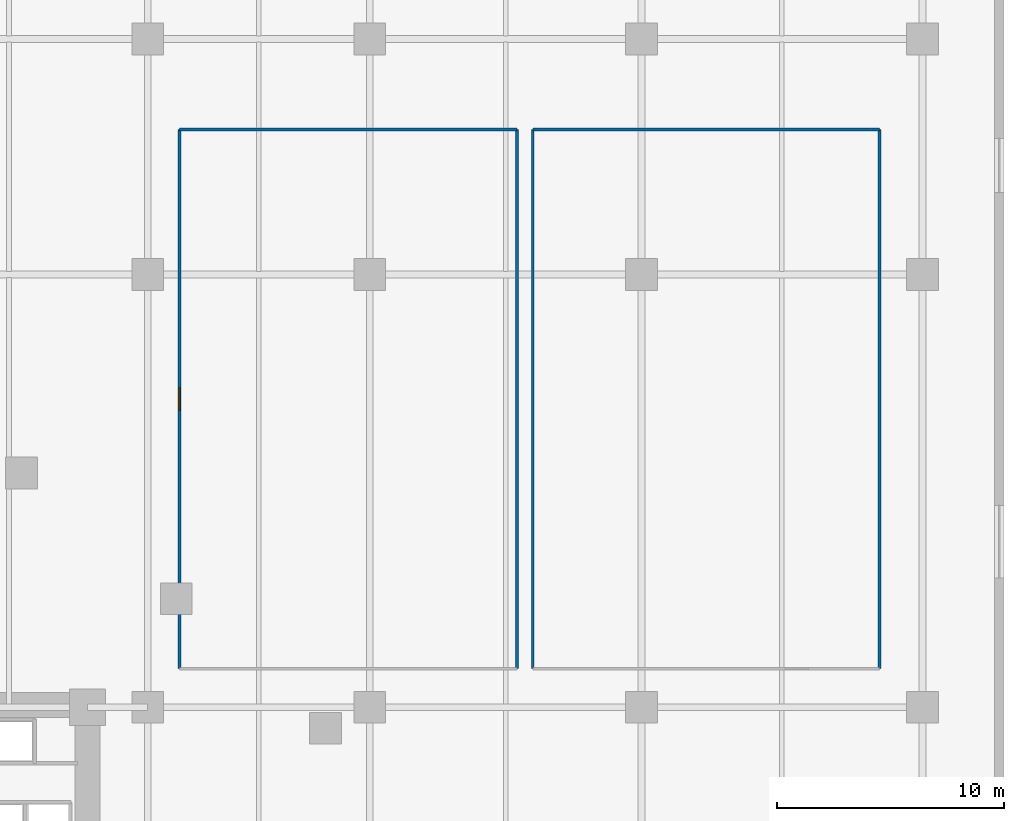
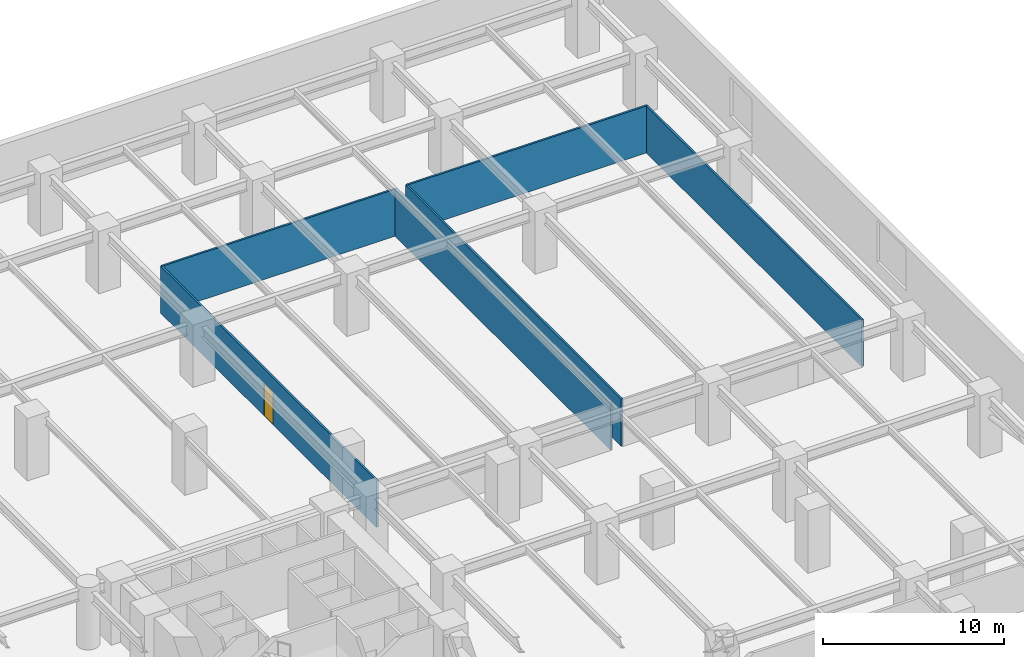
# One storey, part 14 of 25: 6 walls, 1 door, 1 opening.
"""IFC4 building model written with IfcOpenShell, lengths in metres."""

from ifc_helpers import new_model, si_unit, direction, frame, frame_2d, origin, place, context, subcontext, project, spatial, rectangle, extrude, material, layer, layer_set, type_object, element, fill, save


model = new_model("IFC4")

# Units and contexts
model_context = context("Model", 3, precision=1e-05, world=origin(), true_north=direction((0.0, 1.0)))
body_context = subcontext(model_context, "Body", "Model", "MODEL_VIEW")
ifc_project = project(units=[si_unit("LENGTHUNIT", "METRE"), si_unit("AREAUNIT", "SQUARE_METRE"), si_unit("VOLUMEUNIT", "CUBIC_METRE"), si_unit("PLANEANGLEUNIT", "RADIAN"), si_unit("MASSUNIT", "GRAM", prefix="KILO")], contexts=[model_context])

# Site, building, storey
site_placement = place(None, origin())
site = spatial("IfcSite", under=ifc_project, at=site_placement, CompositionType="ELEMENT")
building_placement = place(site_placement, origin())
building = spatial("IfcBuilding", under=site, at=building_placement, Name="Narakoshi Arena Tower", CompositionType="ELEMENT")
storey_placement = place(building_placement, frame((0.0, 0.0, 9.0)))
storey = spatial("IfcBuildingStorey", under=building, at=storey_placement, Name="L02", CompositionType="ELEMENT", Elevation=9.0)

# Walls
ifc_material_1 = material(Name="Gypsum plasterboard fire-rated partition")
ifc_layer = layer(ifc_material_1, 0.125)
ifc_layer_set = layer_set([ifc_layer], Name="Gypsum plasterboard fire-rated partition")
wall_type = type_object("IfcWallType", Name="WL-PART-125", PredefinedType="PARTITIONING", material=ifc_layer_set)
wall_1_placement = place(storey_placement, frame((104.5, 58.199951171875, 0.0), z_axis=(0.0, 0.0, 1.0), x_axis=(0.0, 1.0, 0.0)))
element("IfcWall", 1, at=wall_1_placement, inside=storey, type_object=wall_type, Name="L02 Corporate Hospitality Box Suite North Wall E", PredefinedType="PARTITIONING", context=body_context, shape_type="SweptSolid", body=[
    extrude(rectangle(XDim=23.800048828125, YDim=0.125, at=frame_2d((11.89990234375, 0.0))), origin(), (0.0, 0.0, 1.0), 3.1650390625),
])
wall_2_placement = place(storey_placement, frame((104.5, 82.0, 0.0), z_axis=(0.0, 0.0, 1.0), x_axis=(-1.0, 0.0, 0.0)))
element("IfcWall", 2, at=wall_2_placement, inside=storey, type_object=wall_type, Name="L02 Corporate Hospitality Box Suite North Wall N", PredefinedType="PARTITIONING", context=body_context, shape_type="SweptSolid", body=[
    extrude(rectangle(XDim=14.89990234375, YDim=0.125, at=frame_2d((7.449951171875, 0.0))), origin(), (0.0, 0.0, 1.0), 3.1650390625),
])

# Wall, opening, door
wall_3_placement = place(storey_placement, frame((89.60009765625, 82.0, 0.0), z_axis=(0.0, 0.0, 1.0), x_axis=(0.0, -1.0, 0.0)))
wall_3 = element("IfcWall", 3, at=wall_3_placement, inside=storey, type_object=wall_type, Name="L02 Corporate Hospitality Box Suite North Wall W", PredefinedType="PARTITIONING", context=body_context, shape_type="SweptSolid", body=[
    extrude(rectangle(XDim=23.800048828125, YDim=0.125, at=frame_2d((11.89990234375, 0.0))), origin(), (0.0, 0.0, 1.0), 3.1650390625),
])
opening_placement = place(wall_3_placement, frame((11.39990234375, 0.0, 0.0)))
opening = element("IfcOpeningElement", 4, at=opening_placement, cuts=wall_3, Name="Opening D-06", PredefinedType="OPENING", context=body_context, shape_type="SweptSolid", body=[
    extrude(rectangle(XDim=1.0, YDim=2.199951171875, at=frame_2d((0.5, 1.10009765625))), frame((0.0, 0.072509765625, 0.0), z_axis=(0.0, -1.0, 0.0), x_axis=(1.0, 0.0, 0.0)), (0.0, 0.0, 1.0), 0.14501953125),
])
ifc_material_2 = material(Name="Stained oak solid-core timber", Category="wood")
door_type = type_object("IfcDoorType", Name="DR-OFF-1000", OperationType="NOTDEFINED", PredefinedType="DOOR", material=ifc_material_2)
door_placement = place(opening_placement, frame((1.0, 0.0, 0.0), z_axis=(0.0, 0.0, 1.0), x_axis=(-1.0, 0.0, 0.0)))
door = element("IfcDoor", 5, at=door_placement, inside=storey, type_object=door_type, Name="DR-L02-026", OperationType="SINGLE_SWING_LEFT", OverallHeight=2.199951171875, OverallWidth=1.0, PredefinedType="DOOR", context=body_context, shape_type="SweptSolid", body=[
    extrude(rectangle(XDim=1.0, YDim=2.199951171875, at=frame_2d((0.5, 1.10009765625))), frame((0.0, 0.02490234375, 0.0), z_axis=(0.0, -1.0, 0.0), x_axis=(1.0, 0.0, 0.0)), (0.0, 0.0, 1.0), 0.050048828125),
])
fill(opening, door)

# Walls
wall_4_placement = place(storey_placement, frame((120.5, 58.199951171875, 0.0), z_axis=(0.0, 0.0, 1.0), x_axis=(0.0, 1.0, 0.0)))
element("IfcWall", 6, at=wall_4_placement, inside=storey, type_object=wall_type, Name="L02 Corporate Hospitality Box Suite East Wall E", PredefinedType="PARTITIONING", context=body_context, shape_type="SweptSolid", body=[
    extrude(rectangle(XDim=23.800048828125, YDim=0.125, at=frame_2d((11.89990234375, 0.0))), origin(), (0.0, 0.0, 1.0), 3.1650390625),
])
wall_5_placement = place(storey_placement, frame((120.5, 82.0, 0.0), z_axis=(0.0, 0.0, 1.0), x_axis=(-1.0, 0.0, 0.0)))
element("IfcWall", 7, at=wall_5_placement, inside=storey, type_object=wall_type, Name="L02 Corporate Hospitality Box Suite East Wall N", PredefinedType="PARTITIONING", context=body_context, shape_type="SweptSolid", body=[
    extrude(rectangle(XDim=15.300048828125, YDim=0.125, at=frame_2d((7.64990234375, 0.0))), origin(), (0.0, 0.0, 1.0), 3.1650390625),
])
wall_6_placement = place(storey_placement, frame((105.199951171875, 82.0, 0.0), z_axis=(0.0, 0.0, 1.0), x_axis=(0.0, -1.0, 0.0)))
element("IfcWall", 8, at=wall_6_placement, inside=storey, type_object=wall_type, Name="L02 Corporate Hospitality Box Suite East Wall W", PredefinedType="PARTITIONING", context=body_context, shape_type="SweptSolid", body=[
    extrude(rectangle(XDim=23.800048828125, YDim=0.125, at=frame_2d((11.89990234375, 0.0))), origin(), (0.0, 0.0, 1.0), 3.1650390625),
])

save(model, "model.ifc")
